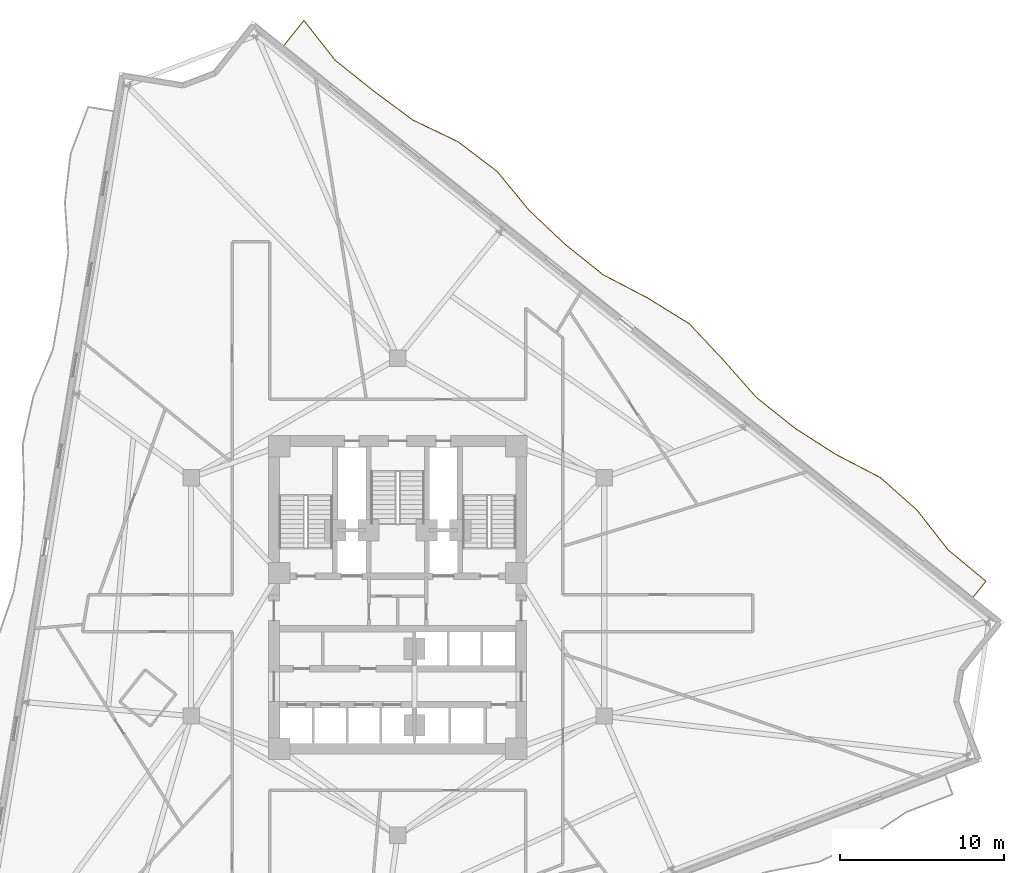
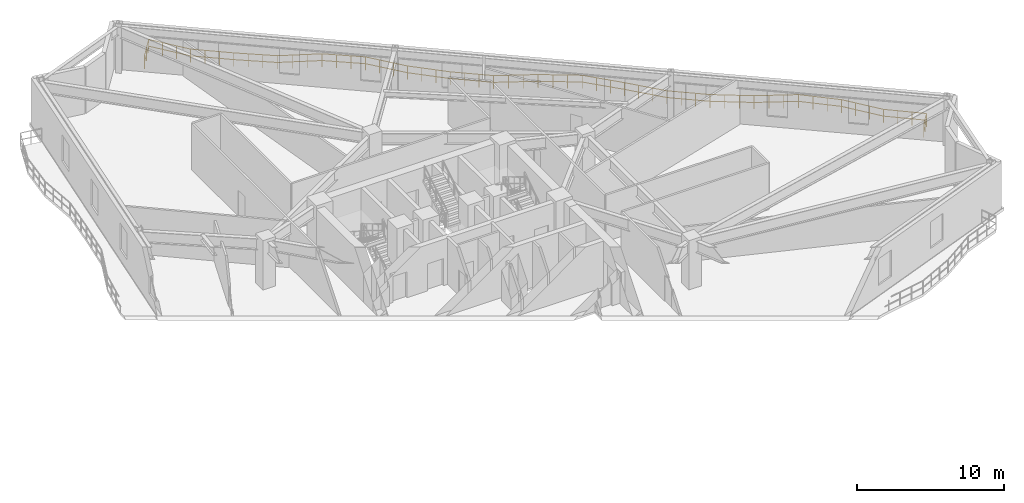
# One storey, part 11 of 11: 1 railing.
"""IFC4 building model written with IfcOpenShell, lengths in metres."""

from ifc_helpers import new_model, si_unit, direction, frame, origin, origin_2d, place, context, subcontext, project, spatial, rectangle, extrude, material, type_object, element, save


model = new_model("IFC4")

# Units and contexts
model_context = context("Model", 3, precision=1e-05, world=origin(), true_north=direction((0.0, 1.0)))
body_context = subcontext(model_context, "Body", "Model", "MODEL_VIEW")
ifc_project = project(units=[si_unit("LENGTHUNIT", "METRE"), si_unit("AREAUNIT", "SQUARE_METRE"), si_unit("VOLUMEUNIT", "CUBIC_METRE"), si_unit("PLANEANGLEUNIT", "RADIAN"), si_unit("MASSUNIT", "GRAM", prefix="KILO")], contexts=[model_context])

# Site, building, storey
site_placement = place(None, origin())
site = spatial("IfcSite", under=ifc_project, at=site_placement, CompositionType="ELEMENT")
building_placement = place(site_placement, origin())
building = spatial("IfcBuilding", under=site, at=building_placement, Name="Apsidion Concourse Tower", CompositionType="ELEMENT")
storey_placement = place(building_placement, frame((0.0, 0.0, 140.39990234375)))
storey = spatial("IfcBuildingStorey", under=building, at=storey_placement, Name="L32", CompositionType="ELEMENT", Elevation=140.39990234375)

# Railing
ifc_material = material(Name="Brushed stainless steel 316", Category="steel")
railing_type = type_object("IfcRailingType", Name="RL-BAL-1120", PredefinedType="BALUSTRADE", material=ifc_material)
railing_placement = place(storey_placement, frame((-6.919189453125, 33.529541015625, 0.0)))
element("IfcRailing", 1, at=railing_placement, inside=storey, type_object=railing_type, Name="L32 Face 3 Rippling Balcony Balustrade", PredefinedType="BALUSTRADE", context=body_context, shape_type="SweptSolid", body=[
    extrude(rectangle(XDim=0.048095703125, YDim=0.048095703125, at=origin_2d()), frame((0.0, 0.0, 1.09619140625), z_axis=(0.624908663988, 0.780697868367, 0.0), x_axis=(-0.780697868367, 0.624908663988, 0.0)), (0.0, 0.0, 1.0), 1.951171875),
    extrude(rectangle(XDim=0.048095703125, YDim=0.048095703125, at=origin_2d()), frame((0.0, 0.0, 0.5361328125), z_axis=(0.624908663988, 0.780697868367, 0.0), x_axis=(-0.780697868367, 0.624908663988, 0.0)), (0.0, 0.0, 1.0), 1.951171875),
    extrude(rectangle(XDim=0.048095703125, YDim=0.048095703125, at=origin_2d()), frame((1.21923828125, 1.523193359375, 1.09619140625), z_axis=(0.617008379202, -0.786956580756, 0.0), x_axis=(0.786956580756, 0.617008379202, 0.0)), (0.0, 0.0, 1.0), 3.064208984375),
    extrude(rectangle(XDim=0.048095703125, YDim=0.048095703125, at=origin_2d()), frame((1.21923828125, 1.523193359375, 0.5361328125), z_axis=(0.617008379202, -0.786956580756, 0.0), x_axis=(0.786956580756, 0.617008379202, 0.0)), (0.0, 0.0, 1.0), 3.064208984375),
    extrude(rectangle(XDim=0.048095703125, YDim=0.048095703125, at=origin_2d()), frame((3.10986328125, -0.88818359375, 1.09619140625), z_axis=(0.780645180678, -0.624974480987, 0.0), x_axis=(0.624974480987, 0.780645180678, 0.0)), (0.0, 0.0, 1.0), 2.98291015625),
    extrude(rectangle(XDim=0.048095703125, YDim=0.048095703125, at=origin_2d()), frame((3.10986328125, -0.88818359375, 0.5361328125), z_axis=(0.780645180678, -0.624974480987, 0.0), x_axis=(0.624974480987, 0.780645180678, 0.0)), (0.0, 0.0, 1.0), 2.98291015625),
    extrude(rectangle(XDim=0.048095703125, YDim=0.048095703125, at=origin_2d()), frame((5.4384765625, -2.75244140625, 1.09619140625), z_axis=(0.803723779034, -0.595002594125, 0.0), x_axis=(0.595002594125, 0.803723779034, 0.0)), (0.0, 0.0, 1.0), 2.985107421875),
    extrude(rectangle(XDim=0.048095703125, YDim=0.048095703125, at=origin_2d()), frame((5.4384765625, -2.75244140625, 0.5361328125), z_axis=(0.803723779034, -0.595002594125, 0.0), x_axis=(0.595002594125, 0.803723779034, 0.0)), (0.0, 0.0, 1.0), 2.985107421875),
    extrude(rectangle(XDim=0.048095703125, YDim=0.048095703125, at=origin_2d()), frame((7.837646484375, -4.528564453125, 1.09619140625), z_axis=(0.901103242833, -0.433604596096, 0.0), x_axis=(0.433604596096, 0.901103242833, 0.0)), (0.0, 0.0, 1.0), 3.061279296875),
    extrude(rectangle(XDim=0.048095703125, YDim=0.048095703125, at=origin_2d()), frame((7.837646484375, -4.528564453125, 0.5361328125), z_axis=(0.901103242833, -0.433604596096, 0.0), x_axis=(0.433604596096, 0.901103242833, 0.0)), (0.0, 0.0, 1.0), 3.061279296875),
    extrude(rectangle(XDim=0.048095703125, YDim=0.048095703125, at=origin_2d()), frame((10.59619140625, -5.85595703125, 1.09619140625), z_axis=(0.796362387572, -0.604819764608, 0.0), x_axis=(0.604819764608, 0.796362387572, 0.0)), (0.0, 0.0, 1.0), 2.98388671875),
    extrude(rectangle(XDim=0.048095703125, YDim=0.048095703125, at=origin_2d()), frame((10.59619140625, -5.85595703125, 0.5361328125), z_axis=(0.796362387572, -0.604819764608, 0.0), x_axis=(0.604819764608, 0.796362387572, 0.0)), (0.0, 0.0, 1.0), 2.98388671875),
    extrude(rectangle(XDim=0.048095703125, YDim=0.048095703125, at=origin_2d()), frame((12.972412109375, -7.66064453125, 1.09619140625), z_axis=(0.635002395812, -0.772510166478, 0.0), x_axis=(0.772510166478, 0.635002395812, 0.0)), (0.0, 0.0, 1.0), 3.048583984375),
    extrude(rectangle(XDim=0.048095703125, YDim=0.048095703125, at=origin_2d()), frame((12.972412109375, -7.66064453125, 0.5361328125), z_axis=(0.635002395812, -0.772510166478, 0.0), x_axis=(0.772510166478, 0.635002395812, 0.0)), (0.0, 0.0, 1.0), 3.048583984375),
    extrude(rectangle(XDim=0.048095703125, YDim=0.048095703125, at=origin_2d()), frame((14.908203125, -10.015625, 1.09619140625), z_axis=(0.726252677892, -0.687427849199, 0.0), x_axis=(0.687427849199, 0.726252677892, 0.0)), (0.0, 0.0, 1.0), 2.9931640625),
    extrude(rectangle(XDim=0.048095703125, YDim=0.048095703125, at=origin_2d()), frame((14.908203125, -10.015625, 0.5361328125), z_axis=(0.726252677892, -0.687427849199, 0.0), x_axis=(0.687427849199, 0.726252677892, 0.0)), (0.0, 0.0, 1.0), 2.9931640625),
    extrude(rectangle(XDim=0.048095703125, YDim=0.048095703125, at=origin_2d()), frame((17.08203125, -12.0732421875, 1.09619140625), z_axis=(0.780645180678, -0.624974480987, 0.0), x_axis=(0.624974480987, 0.780645180678, 0.0)), (0.0, 0.0, 1.0), 2.98291015625),
    extrude(rectangle(XDim=0.048095703125, YDim=0.048095703125, at=origin_2d()), frame((17.08203125, -12.0732421875, 0.5361328125), z_axis=(0.780645180678, -0.624974480987, 0.0), x_axis=(0.624974480987, 0.780645180678, 0.0)), (0.0, 0.0, 1.0), 2.98291015625),
    extrude(rectangle(XDim=0.048095703125, YDim=0.048095703125, at=origin_2d()), frame((19.41064453125, -13.9375, 1.09619140625), z_axis=(0.886268155014, -0.463172492068, 0.0), x_axis=(0.463172492068, 0.886268155014, 0.0)), (0.0, 0.0, 1.0), 3.039794921875),
    extrude(rectangle(XDim=0.048095703125, YDim=0.048095703125, at=origin_2d()), frame((19.41064453125, -13.9375, 0.5361328125), z_axis=(0.886268155014, -0.463172492068, 0.0), x_axis=(0.463172492068, 0.886268155014, 0.0)), (0.0, 0.0, 1.0), 3.039794921875),
    extrude(rectangle(XDim=0.048095703125, YDim=0.048095703125, at=origin_2d()), frame((22.104736328125, -15.345458984375, 1.09619140625), z_axis=(0.850702902345, -0.525646812928, 0.0), x_axis=(0.525646812928, 0.850702902345, 0.0)), (0.0, 0.0, 1.0), 3.005126953125),
    extrude(rectangle(XDim=0.048095703125, YDim=0.048095703125, at=origin_2d()), frame((22.104736328125, -15.345458984375, 0.5361328125), z_axis=(0.850702902345, -0.525646812928, 0.0), x_axis=(0.525646812928, 0.850702902345, 0.0)), (0.0, 0.0, 1.0), 3.005126953125),
    extrude(rectangle(XDim=0.048095703125, YDim=0.048095703125, at=origin_2d()), frame((24.6611328125, -16.925048828125, 1.09619140625), z_axis=(0.683809075724, -0.729660981524, 0.0), x_axis=(0.729660981524, 0.683809075724, 0.0)), (0.0, 0.0, 1.0), 3.013671875),
    extrude(rectangle(XDim=0.048095703125, YDim=0.048095703125, at=origin_2d()), frame((24.6611328125, -16.925048828125, 0.5361328125), z_axis=(0.683809075724, -0.729660981524, 0.0), x_axis=(0.729660981524, 0.683809075724, 0.0)), (0.0, 0.0, 1.0), 3.013671875),
    extrude(rectangle(XDim=0.048095703125, YDim=0.048095703125, at=origin_2d()), frame((26.721923828125, -19.1240234375, 1.09619140625), z_axis=(0.661712299302, -0.749757849544, 0.0), x_axis=(0.749757849544, 0.661712299302, 0.0)), (0.0, 0.0, 1.0), 3.028076171875),
    extrude(rectangle(XDim=0.048095703125, YDim=0.048095703125, at=origin_2d()), frame((26.721923828125, -19.1240234375, 0.5361328125), z_axis=(0.661712299302, -0.749757849544, 0.0), x_axis=(0.749757849544, 0.661712299302, 0.0)), (0.0, 0.0, 1.0), 3.028076171875),
    extrude(rectangle(XDim=0.048095703125, YDim=0.048095703125, at=origin_2d()), frame((28.7255859375, -21.394287109375, 1.09619140625), z_axis=(0.780645180678, -0.624974480987, 0.0), x_axis=(0.624974480987, 0.780645180678, 0.0)), (0.0, 0.0, 1.0), 2.98291015625),
    extrude(rectangle(XDim=0.048095703125, YDim=0.048095703125, at=origin_2d()), frame((28.7255859375, -21.394287109375, 0.5361328125), z_axis=(0.780645180678, -0.624974480987, 0.0), x_axis=(0.624974480987, 0.780645180678, 0.0)), (0.0, 0.0, 1.0), 2.98291015625),
    extrude(rectangle(XDim=0.048095703125, YDim=0.048095703125, at=origin_2d()), frame((31.05419921875, -23.258544921875, 1.09619140625), z_axis=(0.842405875143, -0.5388435223, 0.0), x_axis=(0.5388435223, 0.842405875143, 0.0)), (0.0, 0.0, 1.0), 2.999755859375),
    extrude(rectangle(XDim=0.048095703125, YDim=0.048095703125, at=origin_2d()), frame((31.05419921875, -23.258544921875, 0.5361328125), z_axis=(0.842405875143, -0.5388435223, 0.0), x_axis=(0.5388435223, 0.842405875143, 0.0)), (0.0, 0.0, 1.0), 2.999755859375),
    extrude(rectangle(XDim=0.048095703125, YDim=0.048095703125, at=origin_2d()), frame((33.581298828125, -24.875, 1.09619140625), z_axis=(0.886800962518, -0.462151547522, 0.0), x_axis=(0.462151547522, 0.886800962518, 0.0)), (0.0, 0.0, 1.0), 3.040283203125),
    extrude(rectangle(XDim=0.048095703125, YDim=0.048095703125, at=origin_2d()), frame((33.581298828125, -24.875, 0.5361328125), z_axis=(0.886800962518, -0.462151547522, 0.0), x_axis=(0.462151547522, 0.886800962518, 0.0)), (0.0, 0.0, 1.0), 3.040283203125),
    extrude(rectangle(XDim=0.048095703125, YDim=0.048095703125, at=origin_2d()), frame((36.27734375, -26.280029296875, 1.09619140625), z_axis=(0.747833083582, -0.663886796902, 0.0), x_axis=(0.663886796902, 0.747833083582, 0.0)), (0.0, 0.0, 1.0), 2.98681640625),
    extrude(rectangle(XDim=0.048095703125, YDim=0.048095703125, at=origin_2d()), frame((36.27734375, -26.280029296875, 0.5361328125), z_axis=(0.747833083582, -0.663886796902, 0.0), x_axis=(0.663886796902, 0.747833083582, 0.0)), (0.0, 0.0, 1.0), 2.98681640625),
    extrude(rectangle(XDim=0.048095703125, YDim=0.048095703125, at=origin_2d()), frame((38.510986328125, -28.262939453125, 1.09619140625), z_axis=(0.615747591681, -0.787943464558, 0.0), x_axis=(0.787943464558, 0.615747591681, 0.0)), (0.0, 0.0, 1.0), 3.065185546875),
    extrude(rectangle(XDim=0.048095703125, YDim=0.048095703125, at=origin_2d()), frame((38.510986328125, -28.262939453125, 0.5361328125), z_axis=(0.615747591681, -0.787943464558, 0.0), x_axis=(0.787943464558, 0.615747591681, 0.0)), (0.0, 0.0, 1.0), 3.065185546875),
    extrude(rectangle(XDim=0.048095703125, YDim=0.048095703125, at=origin_2d()), frame((40.3984375, -30.67822265625, 1.09619140625), z_axis=(0.770683912789, -0.63721762889, 0.0), x_axis=(0.63721762889, 0.770683912789, 0.0)), (0.0, 0.0, 1.0), 2.9833984375),
    extrude(rectangle(XDim=0.048095703125, YDim=0.048095703125, at=origin_2d()), frame((40.3984375, -30.67822265625, 0.5361328125), z_axis=(0.770683912789, -0.63721762889, 0.0), x_axis=(0.63721762889, 0.770683912789, 0.0)), (0.0, 0.0, 1.0), 2.9833984375),
    extrude(rectangle(XDim=0.048095703125, YDim=0.048095703125, at=origin_2d()), frame((42.69775390625, -32.579345703125, 1.09619140625), z_axis=(-0.624980820108, -0.780640105616, 0.0), x_axis=(0.780640105616, -0.624980820108, 0.0)), (0.0, 0.0, 1.0), 1.25),
    extrude(rectangle(XDim=0.048095703125, YDim=0.048095703125, at=origin_2d()), frame((42.69775390625, -32.579345703125, 0.5361328125), z_axis=(-0.624980820108, -0.780640105616, 0.0), x_axis=(0.780640105616, -0.624980820108, 0.0)), (0.0, 0.0, 1.0), 1.25),
    extrude(rectangle(XDim=0.0419921875, YDim=0.0419921875, at=origin_2d()), origin(), (0.0, 0.0, 1.0), 1.072021484375),
    extrude(rectangle(XDim=0.0419921875, YDim=0.0419921875, at=origin_2d()), frame((0.609619140625, 0.76171875, 0.0)), (0.0, 0.0, 1.0), 1.072021484375),
    extrude(rectangle(XDim=0.0419921875, YDim=0.0419921875, at=origin_2d()), frame((1.21923828125, 1.523193359375, 0.0)), (0.0, 0.0, 1.0), 1.072021484375),
    extrude(rectangle(XDim=0.0419921875, YDim=0.0419921875, at=origin_2d()), frame((1.849365234375, 0.719482421875, 0.0)), (0.0, 0.0, 1.0), 1.072021484375),
    extrude(rectangle(XDim=0.0419921875, YDim=0.0419921875, at=origin_2d()), frame((2.479736328125, -0.08447265625, 0.0)), (0.0, 0.0, 1.0), 1.072021484375),
    extrude(rectangle(XDim=0.0419921875, YDim=0.0419921875, at=origin_2d()), frame((3.10986328125, -0.88818359375, 0.0)), (0.0, 0.0, 1.0), 1.072021484375),
    extrude(rectangle(XDim=0.0419921875, YDim=0.0419921875, at=origin_2d()), frame((3.885986328125, -1.509521484375, 0.0)), (0.0, 0.0, 1.0), 1.072021484375),
    extrude(rectangle(XDim=0.0419921875, YDim=0.0419921875, at=origin_2d()), frame((4.662353515625, -2.131103515625, 0.0)), (0.0, 0.0, 1.0), 1.072021484375),
    extrude(rectangle(XDim=0.0419921875, YDim=0.0419921875, at=origin_2d()), frame((5.4384765625, -2.75244140625, 0.0)), (0.0, 0.0, 1.0), 1.072021484375),
    extrude(rectangle(XDim=0.0419921875, YDim=0.0419921875, at=origin_2d()), frame((6.23828125, -3.344482421875, 0.0)), (0.0, 0.0, 1.0), 1.072021484375),
    extrude(rectangle(XDim=0.0419921875, YDim=0.0419921875, at=origin_2d()), frame((7.037841796875, -3.9365234375, 0.0)), (0.0, 0.0, 1.0), 1.072021484375),
    extrude(rectangle(XDim=0.0419921875, YDim=0.0419921875, at=origin_2d()), frame((7.837646484375, -4.528564453125, 0.0)), (0.0, 0.0, 1.0), 1.072021484375),
    extrude(rectangle(XDim=0.0419921875, YDim=0.0419921875, at=origin_2d()), frame((8.757080078125, -4.970947265625, 0.0)), (0.0, 0.0, 1.0), 1.072021484375),
    extrude(rectangle(XDim=0.0419921875, YDim=0.0419921875, at=origin_2d()), frame((9.6767578125, -5.41357421875, 0.0)), (0.0, 0.0, 1.0), 1.072021484375),
    extrude(rectangle(XDim=0.0419921875, YDim=0.0419921875, at=origin_2d()), frame((10.59619140625, -5.85595703125, 0.0)), (0.0, 0.0, 1.0), 1.072021484375),
    extrude(rectangle(XDim=0.0419921875, YDim=0.0419921875, at=origin_2d()), frame((11.38818359375, -6.45751953125, 0.0)), (0.0, 0.0, 1.0), 1.072021484375),
    extrude(rectangle(XDim=0.0419921875, YDim=0.0419921875, at=origin_2d()), frame((12.180419921875, -7.05908203125, 0.0)), (0.0, 0.0, 1.0), 1.072021484375),
    extrude(rectangle(XDim=0.0419921875, YDim=0.0419921875, at=origin_2d()), frame((12.972412109375, -7.66064453125, 0.0)), (0.0, 0.0, 1.0), 1.072021484375),
    extrude(rectangle(XDim=0.0419921875, YDim=0.0419921875, at=origin_2d()), frame((13.61767578125, -8.445556640625, 0.0)), (0.0, 0.0, 1.0), 1.072021484375),
    extrude(rectangle(XDim=0.0419921875, YDim=0.0419921875, at=origin_2d()), frame((14.262939453125, -9.230712890625, 0.0)), (0.0, 0.0, 1.0), 1.072021484375),
    extrude(rectangle(XDim=0.0419921875, YDim=0.0419921875, at=origin_2d()), frame((14.908203125, -10.015625, 0.0)), (0.0, 0.0, 1.0), 1.072021484375),
    extrude(rectangle(XDim=0.0419921875, YDim=0.0419921875, at=origin_2d()), frame((15.6328125, -10.701416015625, 0.0)), (0.0, 0.0, 1.0), 1.072021484375),
    extrude(rectangle(XDim=0.0419921875, YDim=0.0419921875, at=origin_2d()), frame((16.357421875, -11.387451171875, 0.0)), (0.0, 0.0, 1.0), 1.072021484375),
    extrude(rectangle(XDim=0.0419921875, YDim=0.0419921875, at=origin_2d()), frame((17.08203125, -12.0732421875, 0.0)), (0.0, 0.0, 1.0), 1.072021484375),
    extrude(rectangle(XDim=0.0419921875, YDim=0.0419921875, at=origin_2d()), frame((17.858154296875, -12.694580078125, 0.0)), (0.0, 0.0, 1.0), 1.072021484375),
    extrude(rectangle(XDim=0.0419921875, YDim=0.0419921875, at=origin_2d()), frame((18.634521484375, -13.316162109375, 0.0)), (0.0, 0.0, 1.0), 1.072021484375),
    extrude(rectangle(XDim=0.0419921875, YDim=0.0419921875, at=origin_2d()), frame((19.41064453125, -13.9375, 0.0)), (0.0, 0.0, 1.0), 1.072021484375),
    extrude(rectangle(XDim=0.0419921875, YDim=0.0419921875, at=origin_2d()), frame((20.30859375, -14.40673828125, 0.0)), (0.0, 0.0, 1.0), 1.072021484375),
    extrude(rectangle(XDim=0.0419921875, YDim=0.0419921875, at=origin_2d()), frame((21.206787109375, -14.876220703125, 0.0)), (0.0, 0.0, 1.0), 1.072021484375),
    extrude(rectangle(XDim=0.0419921875, YDim=0.0419921875, at=origin_2d()), frame((22.104736328125, -15.345458984375, 0.0)), (0.0, 0.0, 1.0), 1.072021484375),
    extrude(rectangle(XDim=0.0419921875, YDim=0.0419921875, at=origin_2d()), frame((22.956787109375, -15.8720703125, 0.0)), (0.0, 0.0, 1.0), 1.072021484375),
    extrude(rectangle(XDim=0.0419921875, YDim=0.0419921875, at=origin_2d()), frame((23.80908203125, -16.3984375, 0.0)), (0.0, 0.0, 1.0), 1.072021484375),
    extrude(rectangle(XDim=0.0419921875, YDim=0.0419921875, at=origin_2d()), frame((24.6611328125, -16.925048828125, 0.0)), (0.0, 0.0, 1.0), 1.072021484375),
    extrude(rectangle(XDim=0.0419921875, YDim=0.0419921875, at=origin_2d()), frame((25.34814453125, -17.657958984375, 0.0)), (0.0, 0.0, 1.0), 1.072021484375),
    extrude(rectangle(XDim=0.0419921875, YDim=0.0419921875, at=origin_2d()), frame((26.034912109375, -18.39111328125, 0.0)), (0.0, 0.0, 1.0), 1.072021484375),
    extrude(rectangle(XDim=0.0419921875, YDim=0.0419921875, at=origin_2d()), frame((26.721923828125, -19.1240234375, 0.0)), (0.0, 0.0, 1.0), 1.072021484375),
    extrude(rectangle(XDim=0.0419921875, YDim=0.0419921875, at=origin_2d()), frame((27.389892578125, -19.880859375, 0.0)), (0.0, 0.0, 1.0), 1.072021484375),
    extrude(rectangle(XDim=0.0419921875, YDim=0.0419921875, at=origin_2d()), frame((28.0576171875, -20.637451171875, 0.0)), (0.0, 0.0, 1.0), 1.072021484375),
    extrude(rectangle(XDim=0.0419921875, YDim=0.0419921875, at=origin_2d()), frame((28.7255859375, -21.394287109375, 0.0)), (0.0, 0.0, 1.0), 1.072021484375),
    extrude(rectangle(XDim=0.0419921875, YDim=0.0419921875, at=origin_2d()), frame((29.501708984375, -22.015625, 0.0)), (0.0, 0.0, 1.0), 1.072021484375),
    extrude(rectangle(XDim=0.0419921875, YDim=0.0419921875, at=origin_2d()), frame((30.278076171875, -22.63720703125, 0.0)), (0.0, 0.0, 1.0), 1.072021484375),
    extrude(rectangle(XDim=0.0419921875, YDim=0.0419921875, at=origin_2d()), frame((31.05419921875, -23.258544921875, 0.0)), (0.0, 0.0, 1.0), 1.072021484375),
    extrude(rectangle(XDim=0.0419921875, YDim=0.0419921875, at=origin_2d()), frame((31.896484375, -23.79736328125, 0.0)), (0.0, 0.0, 1.0), 1.072021484375),
    extrude(rectangle(XDim=0.0419921875, YDim=0.0419921875, at=origin_2d()), frame((32.739013671875, -24.336181640625, 0.0)), (0.0, 0.0, 1.0), 1.072021484375),
    extrude(rectangle(XDim=0.0419921875, YDim=0.0419921875, at=origin_2d()), frame((33.581298828125, -24.875, 0.0)), (0.0, 0.0, 1.0), 1.072021484375),
    extrude(rectangle(XDim=0.0419921875, YDim=0.0419921875, at=origin_2d()), frame((34.47998046875, -25.34326171875, 0.0)), (0.0, 0.0, 1.0), 1.072021484375),
    extrude(rectangle(XDim=0.0419921875, YDim=0.0419921875, at=origin_2d()), frame((35.378662109375, -25.811767578125, 0.0)), (0.0, 0.0, 1.0), 1.072021484375),
    extrude(rectangle(XDim=0.0419921875, YDim=0.0419921875, at=origin_2d()), frame((36.27734375, -26.280029296875, 0.0)), (0.0, 0.0, 1.0), 1.072021484375),
    extrude(rectangle(XDim=0.0419921875, YDim=0.0419921875, at=origin_2d()), frame((37.02197265625, -26.94091796875, 0.0)), (0.0, 0.0, 1.0), 1.072021484375),
    extrude(rectangle(XDim=0.0419921875, YDim=0.0419921875, at=origin_2d()), frame((37.766357421875, -27.60205078125, 0.0)), (0.0, 0.0, 1.0), 1.072021484375),
    extrude(rectangle(XDim=0.0419921875, YDim=0.0419921875, at=origin_2d()), frame((38.510986328125, -28.262939453125, 0.0)), (0.0, 0.0, 1.0), 1.072021484375),
    extrude(rectangle(XDim=0.0419921875, YDim=0.0419921875, at=origin_2d()), frame((39.14013671875, -29.068115234375, 0.0)), (0.0, 0.0, 1.0), 1.072021484375),
    extrude(rectangle(XDim=0.0419921875, YDim=0.0419921875, at=origin_2d()), frame((39.769287109375, -29.873046875, 0.0)), (0.0, 0.0, 1.0), 1.072021484375),
    extrude(rectangle(XDim=0.0419921875, YDim=0.0419921875, at=origin_2d()), frame((40.3984375, -30.67822265625, 0.0)), (0.0, 0.0, 1.0), 1.072021484375),
    extrude(rectangle(XDim=0.0419921875, YDim=0.0419921875, at=origin_2d()), frame((41.164794921875, -31.31201171875, 0.0)), (0.0, 0.0, 1.0), 1.072021484375),
    extrude(rectangle(XDim=0.0419921875, YDim=0.0419921875, at=origin_2d()), frame((41.931396484375, -31.945556640625, 0.0)), (0.0, 0.0, 1.0), 1.072021484375),
    extrude(rectangle(XDim=0.0419921875, YDim=0.0419921875, at=origin_2d()), frame((42.69775390625, -32.579345703125, 0.0)), (0.0, 0.0, 1.0), 1.072021484375),
    extrude(rectangle(XDim=0.0419921875, YDim=0.0419921875, at=origin_2d()), frame((42.30712890625, -33.0673828125, 0.0)), (0.0, 0.0, 1.0), 1.072021484375),
    extrude(rectangle(XDim=0.0419921875, YDim=0.0419921875, at=origin_2d()), frame((41.91650390625, -33.55517578125, 0.0)), (0.0, 0.0, 1.0), 1.072021484375),
])

save(model, "model.ifc")
